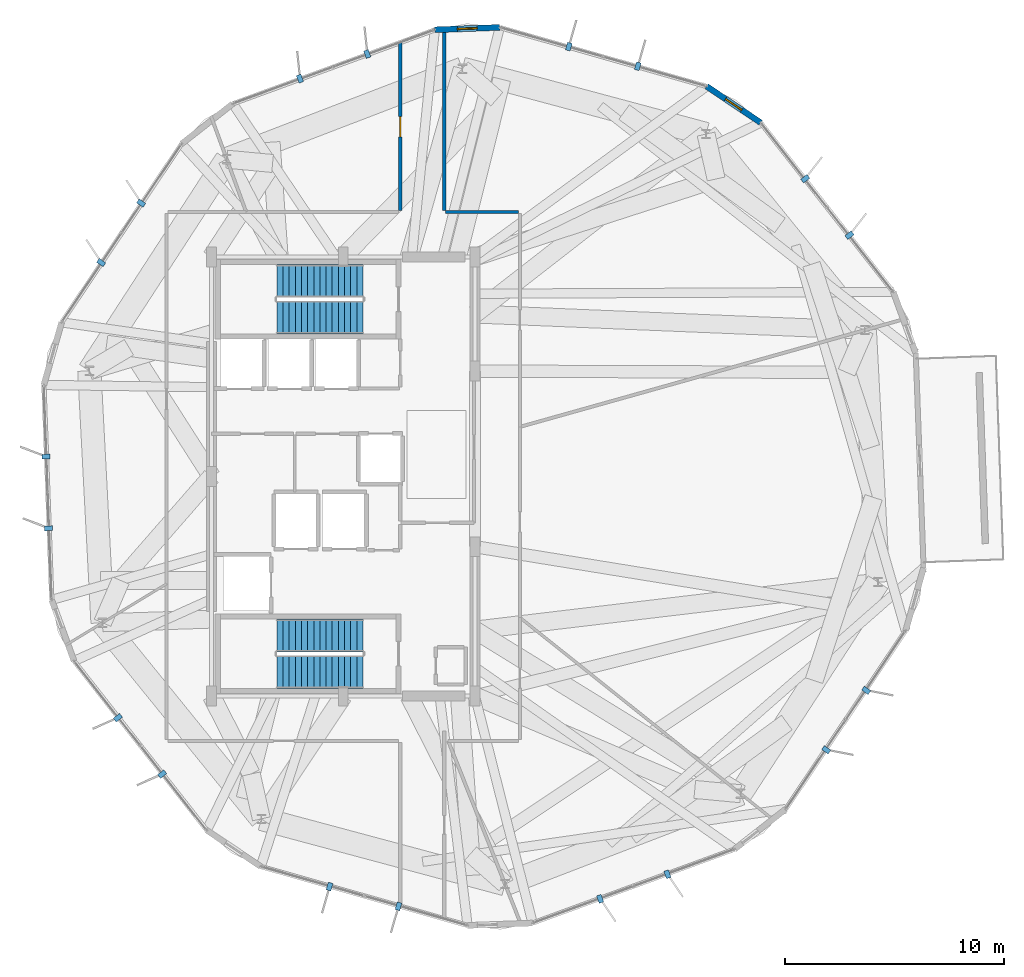
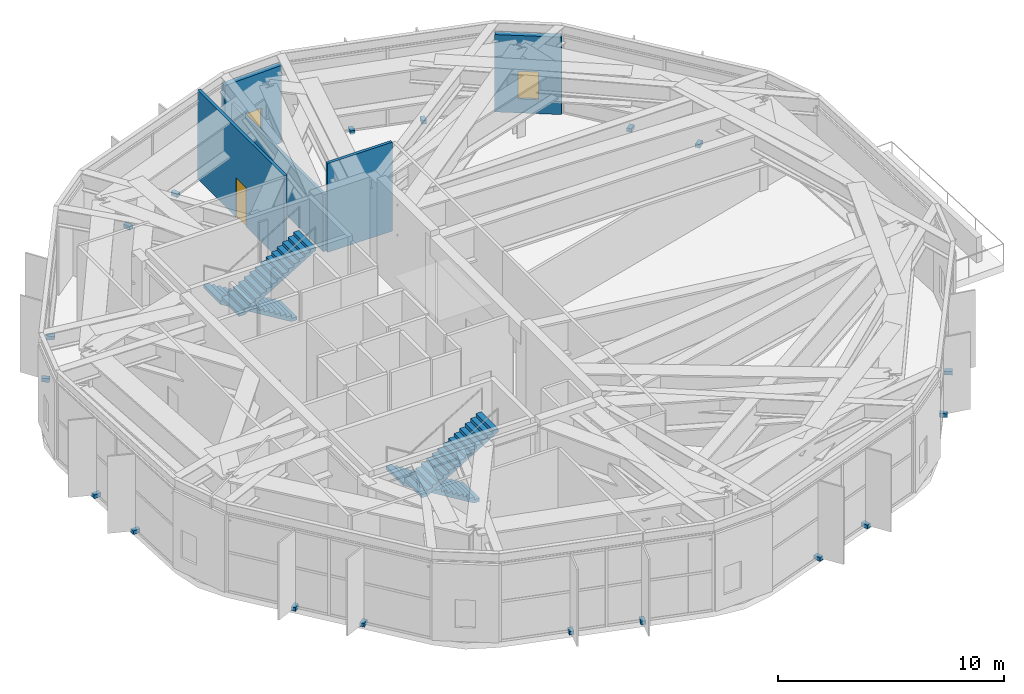
# One storey, part 27 of 30: 18 discrete accessories, 5 walls, 4 stair flights, 2 windows, 1 door, 3 openings, 2 elements without a shape of their own.
"""IFC4 building model written with IfcOpenShell, lengths in metres."""

from ifc_helpers import new_model, si_unit, direction, frame, frame_2d, origin, origin_2d, place, context, subcontext, project, spatial, polyline, rectangle, outline, extrude, material, layer, layer_set, type_object, element, fill, aggregate, save


model = new_model("IFC4")

# Units and contexts
model_context = context("Model", 3, precision=1e-05, world=origin(), true_north=direction((0.0, 1.0)))
body_context = subcontext(model_context, "Body", "Model", "MODEL_VIEW")
ifc_project = project(units=[si_unit("LENGTHUNIT", "METRE"), si_unit("AREAUNIT", "SQUARE_METRE"), si_unit("VOLUMEUNIT", "CUBIC_METRE"), si_unit("PLANEANGLEUNIT", "RADIAN"), si_unit("MASSUNIT", "GRAM", prefix="KILO")], contexts=[model_context])

# Site, building, storey
site_placement = place(None, origin())
site = spatial("IfcSite", under=ifc_project, at=site_placement, CompositionType="ELEMENT")
building_placement = place(site_placement, origin())
building = spatial("IfcBuilding", under=site, at=building_placement, Name="Soratama Intermodal Tower", CompositionType="ELEMENT")
storey_placement = place(building_placement, frame((0.0, 0.0, 237.39990234375)))
storey = spatial("IfcBuildingStorey", under=building, at=storey_placement, Name="L60", CompositionType="ELEMENT", Elevation=237.39990234375)

# Wall, opening, window
ifc_material_1 = material(Name="Concrete f'c 42 MPa", Category="concrete")
ifc_layer_1 = layer(ifc_material_1, 0.27001953125)
ifc_layer_set_1 = layer_set([ifc_layer_1], Name="Concrete f'c 42 MPa")
wall_type_1 = type_object("IfcWallType", Name="EW-CRN-270", PredefinedType="SOLIDWALL", material=ifc_layer_set_1)
wall_1_placement = place(storey_placement, frame((45.734130859375, 45.458740234375, 0.0), z_axis=(0.0, 0.0, 1.0), x_axis=(-0.999329187927, -0.036622044686, 0.0)))
wall_1 = element("IfcWall", 1, at=wall_1_placement, inside=storey, type_object=wall_type_1, Name="L60 Corner Closure Wall 01", PredefinedType="SOLIDWALL", context=body_context, shape_type="SweptSolid", body=[
    extrude(rectangle(XDim=2.966552734375, YDim=0.27001953125, at=frame_2d((1.4833984375, 0.0))), origin(), (0.0, 0.0, 1.0), 4.17919921875),
])
opening_1_placement = place(wall_1_placement, frame((1.033203125, 0.0, 0.75)))
opening_1 = element("IfcOpeningElement", 2, at=opening_1_placement, cuts=wall_1, Name="Opening WN-6", PredefinedType="OPENING", context=body_context, shape_type="SweptSolid", body=[
    extrude(rectangle(XDim=0.89990234375, YDim=1.5, at=frame_2d((0.449951171875, 0.75))), frame((0.0, 0.14501953125, 0.0), z_axis=(0.0, -1.0, 0.0), x_axis=(1.0, 0.0, 0.0)), (0.0, 0.0, 1.0), 0.2900390625),
])
ifc_material_2 = material(Name="Double-glazed aluminium window", Category="aluminium")
window_type = type_object("IfcWindowType", Name="WN-FAC-900", PartitioningType="SINGLE_PANEL", PredefinedType="WINDOW", material=ifc_material_2)
window_1_placement = place(opening_1_placement, origin())
window_1 = element("IfcWindow", 3, at=window_1_placement, inside=storey, type_object=window_type, Name="L60 Corner Window 01", OverallHeight=1.5, OverallWidth=0.89990234375, PartitioningType="SINGLE_PANEL", PredefinedType="WINDOW", context=body_context, shape_type="SweptSolid", body=[
    extrude(rectangle(XDim=0.89990234375, YDim=1.5, at=frame_2d((0.449951171875, 0.75))), frame((0.0, 0.030029296875, 0.0), z_axis=(0.0, -1.0, 0.0), x_axis=(1.0, 0.0, 0.0)), (0.0, 0.0, 1.0), 0.06005859375),
])
fill(opening_1, window_1)

wall_2_placement = place(storey_placement, frame((57.619140625, 41.119873046875, 0.0), z_axis=(0.0, 0.0, 1.0), x_axis=(-0.830006141752, 0.557754251131, 0.0)))
wall_2 = element("IfcWall", 4, at=wall_2_placement, inside=storey, type_object=wall_type_1, Name="L60 Corner Closure Wall 10", PredefinedType="SOLIDWALL", context=body_context, shape_type="SweptSolid", body=[
    extrude(rectangle(XDim=2.966552734375, YDim=0.27001953125, at=frame_2d((1.4833984375, 0.0))), origin(), (0.0, 0.0, 1.0), 4.17919921875),
])
opening_2_placement = place(wall_2_placement, frame((1.033203125, 0.0, 0.75)))
opening_2 = element("IfcOpeningElement", 5, at=opening_2_placement, cuts=wall_2, Name="Opening WN-6", PredefinedType="OPENING", context=body_context, shape_type="SweptSolid", body=[
    extrude(rectangle(XDim=0.89990234375, YDim=1.5, at=frame_2d((0.449951171875, 0.75))), frame((0.0, 0.14501953125, 0.0), z_axis=(0.0, -1.0, 0.0), x_axis=(1.0, 0.0, 0.0)), (0.0, 0.0, 1.0), 0.2900390625),
])
window_2_placement = place(opening_2_placement, origin())
window_2 = element("IfcWindow", 6, at=window_2_placement, inside=storey, type_object=window_type, Name="L60 Corner Window 10", OverallHeight=1.5, OverallWidth=0.89990234375, PartitioningType="SINGLE_PANEL", PredefinedType="WINDOW", context=body_context, shape_type="SweptSolid", body=[
    extrude(rectangle(XDim=0.89990234375, YDim=1.5, at=frame_2d((0.449951171875, 0.75))), frame((0.0, 0.030029296875, 0.0), z_axis=(0.0, -1.0, 0.0), x_axis=(1.0, 0.0, 0.0)), (0.0, 0.0, 1.0), 0.06005859375),
])
fill(opening_2, window_2)

# Wall
ifc_material_3 = material(Name="Fire-rated gypsum stud partition", Category="concrete")
ifc_layer_2 = layer(ifc_material_3, 0.14990234375)
ifc_layer_set_2 = layer_set([ifc_layer_2], Name="Fire-rated gypsum stud partition")
wall_type_2 = type_object("IfcWallType", Name="IW-PART-R150", PredefinedType="PARTITIONING", material=ifc_layer_set_2)
wall_3_placement = place(storey_placement, frame((43.199951171875, 45.43408203125, 0.0), z_axis=(0.0, 0.0, 1.0), x_axis=(0.0, -1.0, 0.0)))
element("IfcWall", 7, at=wall_3_placement, inside=storey, type_object=wall_type_2, Name="L60 Partition W-L60-TP008", PredefinedType="PARTITIONING", context=body_context, shape_type="SweptSolid", body=[
    extrude(rectangle(XDim=8.31396484375, YDim=0.14990234375, at=frame_2d((4.156982421875, 0.0))), origin(), (0.0, 0.0, 1.0), 3.090087890625),
])

# Wall, opening, door
wall_4_placement = place(storey_placement, frame((41.199951171875, 37.1201171875, 0.0), z_axis=(0.0, 0.0, 1.0), x_axis=(0.0, 1.0, 0.0)))
wall_4 = element("IfcWall", 8, at=wall_4_placement, inside=storey, type_object=wall_type_2, Name="L60 Partition W-L60-TP009", PredefinedType="PARTITIONING", context=body_context, shape_type="SweptSolid", body=[
    extrude(rectangle(XDim=7.65576171875, YDim=0.14990234375, at=frame_2d((3.827880859375, 0.0))), origin(), (0.0, 0.0, 1.0), 4.800048828125),
])
opening_3_placement = place(wall_4_placement, frame((3.35302734375, 0.0, 0.0)))
opening_3 = element("IfcOpeningElement", 9, at=opening_3_placement, cuts=wall_4, Name="Opening ID-6", PredefinedType="OPENING", context=body_context, shape_type="SweptSolid", body=[
    extrude(rectangle(XDim=0.919921875, YDim=2.1201171875, at=frame_2d((0.4599609375, 1.06005859375))), frame((0.0, 0.0849609375, 0.0), z_axis=(0.0, -1.0, 0.0), x_axis=(1.0, 0.0, 0.0)), (0.0, 0.0, 1.0), 0.169921875),
])
ifc_material_4 = material(Name="Solid hardwood acoustic door", Category="wood")
door_type = type_object("IfcDoorType", Name="DR-ROOM-920", OperationType="NOTDEFINED", PredefinedType="DOOR", material=ifc_material_4)
door_placement = place(opening_3_placement, origin())
door = element("IfcDoor", 10, at=door_placement, inside=storey, type_object=door_type, Name="L60 Door D-L60-TP005", OperationType="SINGLE_SWING_RIGHT", OverallHeight=2.1201171875, OverallWidth=0.919921875, PredefinedType="DOOR", context=body_context, shape_type="SweptSolid", body=[
    extrude(rectangle(XDim=0.919921875, YDim=2.1201171875, at=frame_2d((0.4599609375, 1.06005859375))), frame((0.0, 0.02490234375, 0.0), z_axis=(0.0, -1.0, 0.0), x_axis=(1.0, 0.0, 0.0)), (0.0, 0.0, 1.0), 0.050048828125),
])
fill(opening_3, door)

# Wall
wall_5_placement = place(storey_placement, frame((43.27001953125, 37.050048828125, 0.0), z_axis=(0.0, 0.0, 1.0), x_axis=(1.0, 0.0, 0.0)))
element("IfcWall", 11, at=wall_5_placement, inside=storey, type_object=wall_type_2, Name="L60 Partition W-L60-TP020", PredefinedType="PARTITIONING", context=body_context, shape_type="SweptSolid", body=[
    extrude(rectangle(XDim=3.31005859375, YDim=0.14990234375, at=frame_2d((1.655029296875, 0.0))), origin(), (0.0, 0.0, 1.0), 4.800048828125),
])

# Stair, stair flights
ifc_material_5 = material(Name="Concrete f'c 42 MPa", Category="concrete")
stair_type = type_object("IfcStairType", Name="ST-CORE-DOGLEG", PredefinedType="HALF_TURN_STAIR", material=ifc_material_5)
stair_1_placement = place(storey_placement, origin())
stair_1 = element("IfcStair", 12, at=stair_1_placement, inside=storey, type_object=stair_type, Name="L60 ST-1", PredefinedType="HALF_TURN_STAIR")
ifc_material_6 = material(Name="Precast concrete f'c 40 MPa", Category="concrete")
ifc_layer_3 = layer(ifc_material_6, 0.199951171875)
ifc_layer_set_3 = layer_set([ifc_layer_3], Name="Precast concrete f'c 40 MPa")
stair_flight_type = type_object("IfcStairFlightType", Name="SF-FLIGHT-RC", PredefinedType="STRAIGHT", material=ifc_layer_set_3)
stair_flight_1_placement = place(storey_placement, frame((39.5, 17.75, 0.0), z_axis=(0.0, 0.0, 1.0), x_axis=(-1.0, 0.0, 0.0)))
stair_flight_1 = element("IfcStairFlight", 13, at=stair_flight_1_placement, type_object=stair_flight_type, Name="ST-1 flight 1", NumberOfRisers=15, NumberOfTreads=14, PredefinedType="STRAIGHT", RiserHeight=0.17, TreadLength=0.28, context=body_context, shape_type="SweptSolid", body=[
    extrude(outline(polyline([(0.0, 0.0), (0.0, 0.169921875), (0.280029296875, 0.169921875), (0.280029296875, 0.340087890625), (0.56005859375, 0.340087890625), (0.56005859375, 0.510009765625), (0.840087890625, 0.510009765625), (0.840087890625, 0.679931640625), (1.1201171875, 0.679931640625), (1.1201171875, 0.85009765625), (1.39990234375, 0.85009765625), (1.39990234375, 1.02001953125), (1.679931640625, 1.02001953125), (1.679931640625, 1.18994140625), (1.9599609375, 1.18994140625), (1.9599609375, 1.360107421875), (2.239990234375, 1.360107421875), (2.239990234375, 1.530029296875), (2.52001953125, 1.530029296875), (2.52001953125, 1.699951171875), (2.800048828125, 1.699951171875), (2.800048828125, 1.8701171875), (3.080078125, 1.8701171875), (3.080078125, 2.0400390625), (3.360107421875, 2.0400390625), (3.360107421875, 2.2099609375), (3.639892578125, 2.2099609375), (3.639892578125, 2.3798828125), (3.919921875, 2.3798828125), (3.919921875, 2.550048828125), (3.919921875, 2.20458984375), (0.288818359375, 0.0), (0.0, 0.0)])), frame((0.0, 0.75, 0.0), z_axis=(0.0, -1.0, 0.0), x_axis=(1.0, 0.0, 0.0)), (0.0, 0.0, 1.0), 1.5),
])
stair_flight_2_placement = place(storey_placement, frame((35.580078125, 16.10009765625, 2.550048828125), z_axis=(0.0, 0.0, 1.0), x_axis=(1.0, 0.0, 0.0)))
stair_flight_2 = element("IfcStairFlight", 14, at=stair_flight_2_placement, type_object=stair_flight_type, Name="ST-1 flight 2", NumberOfRisers=15, NumberOfTreads=14, PredefinedType="STRAIGHT", RiserHeight=0.17, TreadLength=0.28, context=body_context, shape_type="SweptSolid", body=[
    extrude(outline(polyline([(0.0, 0.0), (0.0, 0.169921875), (0.280029296875, 0.169921875), (0.280029296875, 0.340087890625), (0.56005859375, 0.340087890625), (0.56005859375, 0.510009765625), (0.840087890625, 0.510009765625), (0.840087890625, 0.679931640625), (1.1201171875, 0.679931640625), (1.1201171875, 0.85009765625), (1.39990234375, 0.85009765625), (1.39990234375, 1.02001953125), (1.679931640625, 1.02001953125), (1.679931640625, 1.18994140625), (1.9599609375, 1.18994140625), (1.9599609375, 1.360107421875), (2.239990234375, 1.360107421875), (2.239990234375, 1.530029296875), (2.52001953125, 1.530029296875), (2.52001953125, 1.699951171875), (2.800048828125, 1.699951171875), (2.800048828125, 1.8701171875), (3.080078125, 1.8701171875), (3.080078125, 2.0400390625), (3.360107421875, 2.0400390625), (3.360107421875, 2.2099609375), (3.639892578125, 2.2099609375), (3.639892578125, 2.3798828125), (3.919921875, 2.3798828125), (3.919921875, 2.550048828125), (3.919921875, 2.20458984375), (0.288818359375, 0.0), (0.0, 0.0)])), frame((0.0, 0.75, 0.0), z_axis=(0.0, -1.0, 0.0), x_axis=(1.0, 0.0, 0.0)), (0.0, 0.0, 1.0), 1.5),
])
aggregate(stair_1, [stair_flight_1, stair_flight_2])

stair_2_placement = place(storey_placement, origin())
stair_2 = element("IfcStair", 15, at=stair_2_placement, inside=storey, type_object=stair_type, Name="L60 ST-2", PredefinedType="HALF_TURN_STAIR")
stair_flight_3_placement = place(storey_placement, frame((39.5, 33.89990234375, 0.0), z_axis=(0.0, 0.0, 1.0), x_axis=(-1.0, 0.0, 0.0)))
stair_flight_3 = element("IfcStairFlight", 16, at=stair_flight_3_placement, type_object=stair_flight_type, Name="ST-2 flight 1", NumberOfRisers=15, NumberOfTreads=14, PredefinedType="STRAIGHT", RiserHeight=0.17, TreadLength=0.28, context=body_context, shape_type="SweptSolid", body=[
    extrude(outline(polyline([(0.0, 0.0), (0.0, 0.169921875), (0.280029296875, 0.169921875), (0.280029296875, 0.340087890625), (0.56005859375, 0.340087890625), (0.56005859375, 0.510009765625), (0.840087890625, 0.510009765625), (0.840087890625, 0.679931640625), (1.1201171875, 0.679931640625), (1.1201171875, 0.85009765625), (1.39990234375, 0.85009765625), (1.39990234375, 1.02001953125), (1.679931640625, 1.02001953125), (1.679931640625, 1.18994140625), (1.9599609375, 1.18994140625), (1.9599609375, 1.360107421875), (2.239990234375, 1.360107421875), (2.239990234375, 1.530029296875), (2.52001953125, 1.530029296875), (2.52001953125, 1.699951171875), (2.800048828125, 1.699951171875), (2.800048828125, 1.8701171875), (3.080078125, 1.8701171875), (3.080078125, 2.0400390625), (3.360107421875, 2.0400390625), (3.360107421875, 2.2099609375), (3.639892578125, 2.2099609375), (3.639892578125, 2.3798828125), (3.919921875, 2.3798828125), (3.919921875, 2.550048828125), (3.919921875, 2.20458984375), (0.288818359375, 0.0), (0.0, 0.0)])), frame((0.0, 0.75, 0.0), z_axis=(0.0, -1.0, 0.0), x_axis=(1.0, 0.0, 0.0)), (0.0, 0.0, 1.0), 1.5),
])
stair_flight_4_placement = place(storey_placement, frame((35.580078125, 32.25, 2.550048828125), z_axis=(0.0, 0.0, 1.0), x_axis=(1.0, 0.0, 0.0)))
stair_flight_4 = element("IfcStairFlight", 17, at=stair_flight_4_placement, type_object=stair_flight_type, Name="ST-2 flight 2", NumberOfRisers=15, NumberOfTreads=14, PredefinedType="STRAIGHT", RiserHeight=0.17, TreadLength=0.28, context=body_context, shape_type="SweptSolid", body=[
    extrude(outline(polyline([(0.0, 0.0), (0.0, 0.169921875), (0.280029296875, 0.169921875), (0.280029296875, 0.340087890625), (0.56005859375, 0.340087890625), (0.56005859375, 0.510009765625), (0.840087890625, 0.510009765625), (0.840087890625, 0.679931640625), (1.1201171875, 0.679931640625), (1.1201171875, 0.85009765625), (1.39990234375, 0.85009765625), (1.39990234375, 1.02001953125), (1.679931640625, 1.02001953125), (1.679931640625, 1.18994140625), (1.9599609375, 1.18994140625), (1.9599609375, 1.360107421875), (2.239990234375, 1.360107421875), (2.239990234375, 1.530029296875), (2.52001953125, 1.530029296875), (2.52001953125, 1.699951171875), (2.800048828125, 1.699951171875), (2.800048828125, 1.8701171875), (3.080078125, 1.8701171875), (3.080078125, 2.0400390625), (3.360107421875, 2.0400390625), (3.360107421875, 2.2099609375), (3.639892578125, 2.2099609375), (3.639892578125, 2.3798828125), (3.919921875, 2.3798828125), (3.919921875, 2.550048828125), (3.919921875, 2.20458984375), (0.288818359375, 0.0), (0.0, 0.0)])), frame((0.0, 0.75, 0.0), z_axis=(0.0, -1.0, 0.0), x_axis=(1.0, 0.0, 0.0)), (0.0, 0.0, 1.0), 1.5),
])
aggregate(stair_2, [stair_flight_3, stair_flight_4])

# Discrete accessories
ifc_material_7 = material(Name="Structural steel ASTM A992 Grade 50", Category="steel")
discrete_accessory_type = type_object("IfcDiscreteAccessoryType", Name="AC-FIN-BRACKET", PredefinedType="BRACKET", material=ifc_material_7)
for number, where, z_axis, x_axis, name in (
    (18, (52.021484375, 43.6884765625, -0.080078125), (0.0, 0.0, 1.0), (0.273959218692, 0.961741309549, 0.0), "L60 Fin Bracket F01-1"),
    (19, (48.880615234375, 44.583251953125, -0.080078125), (0.0, 0.0, 1.0), (0.273959218692, 0.961741309549, 0.0), "L60 Fin Bracket F01-2"),
    (20, (39.69580078125, 44.246337890625, -0.080078125), (0.0, 0.0, 1.0), (-0.343659694586, 0.939094252095, 0.0), "L60 Fin Bracket F02-1"),
    (21, (36.628662109375, 43.1240234375, -0.080078125), (0.0, 0.0, 1.0), (-0.343659694586, 0.939094252095, 0.0), "L60 Fin Bracket F02-2"),
    (22, (29.39599609375, 37.452880859375, -0.080078125), (0.0, 0.0, 1.0), (-0.830012285095, 0.55774510898, 0.0), "L60 Fin Bracket F03-1"),
    (23, (27.574462890625, 34.7421875, -0.080078125), (0.0, 0.0, 1.0), (-0.830012285095, 0.55774510898, 0.0), "L60 Fin Bracket F03-2"),
    (24, (25.056396484375, 25.90283203125, -0.080078125), (0.0, 0.0, 1.0), (-0.999328393779, -0.036643708707, 0.0), "L60 Fin Bracket F04-1"),
    (25, (25.176025390625, 22.63916015625, -0.080078125), (0.0, 0.0, 1.0), (-0.999328393779, -0.036643708707, 0.0), "L60 Fin Bracket F04-2"),
    (26, (28.334716796875, 14.0078125, -0.080078125), (0.0, 0.0, 1.0), (-0.786935021961, -0.617035875141, 0.0), "L60 Fin Bracket F05-1"),
    (27, (30.349853515625, 11.437744140625, -0.080078125), (0.0, 0.0, 1.0), (-0.786935021961, -0.617035875141, 0.0), "L60 Fin Bracket F05-2"),
    (28, (37.978515625, 6.3115234375, -0.080078125), (0.0, 0.0, 1.0), (-0.273959218692, -0.961741309549, 0.0), "L60 Fin Bracket F06-1"),
    (29, (41.119384765625, 5.416748046875, -0.080078125), (0.0, 0.0, 1.0), (-0.273959218692, -0.961741309549, 0.0), "L60 Fin Bracket F06-2"),
    (30, (50.30419921875, 5.753662109375, -0.080078125), (0.0, 0.0, 1.0), (0.343659694586, -0.939094252095, 0.0), "L60 Fin Bracket F07-1"),
    (31, (53.371337890625, 6.8759765625, -0.080078125), (0.0, 0.0, 1.0), (0.343659694586, -0.939094252095, 0.0), "L60 Fin Bracket F07-2"),
    (32, (60.60400390625, 12.547119140625, -0.080078125), (0.0, 0.0, 1.0), (0.830012285095, -0.55774510898, 0.0), "L60 Fin Bracket F08-1"),
    (33, (62.425537109375, 15.2578125, -0.080078125), (0.0, 0.0, 1.0), (0.830012285095, -0.55774510898, 0.0), "L60 Fin Bracket F08-2"),
    (34, (61.665283203125, 35.9921875, -0.080078125), (0.0, 0.0, 1.0), (0.786935021961, 0.617035875141, 0.0), "L60 Fin Bracket F10-1"),
    (35, (59.650146484375, 38.562255859375, -0.080078125), (0.0, 0.0, 1.0), (0.786935021961, 0.617035875141, 0.0), "L60 Fin Bracket F10-2"),
):
    element("IfcDiscreteAccessory", number, at=place(storey_placement, frame(where, z_axis=z_axis, x_axis=x_axis)), inside=storey, type_object=discrete_accessory_type, Name=name, PredefinedType="BRACKET", context=body_context, shape_type="SweptSolid", body=[
        extrude(rectangle(XDim=0.360107421875, YDim=0.219970703125, at=origin_2d()), origin(), (0.0, 0.0, 1.0), 0.199951171875),
    ])

save(model, "model.ifc")
